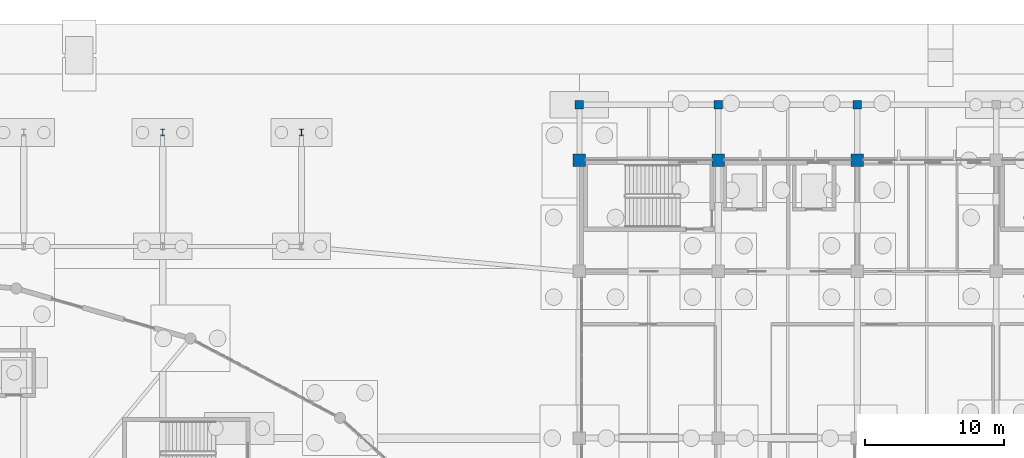
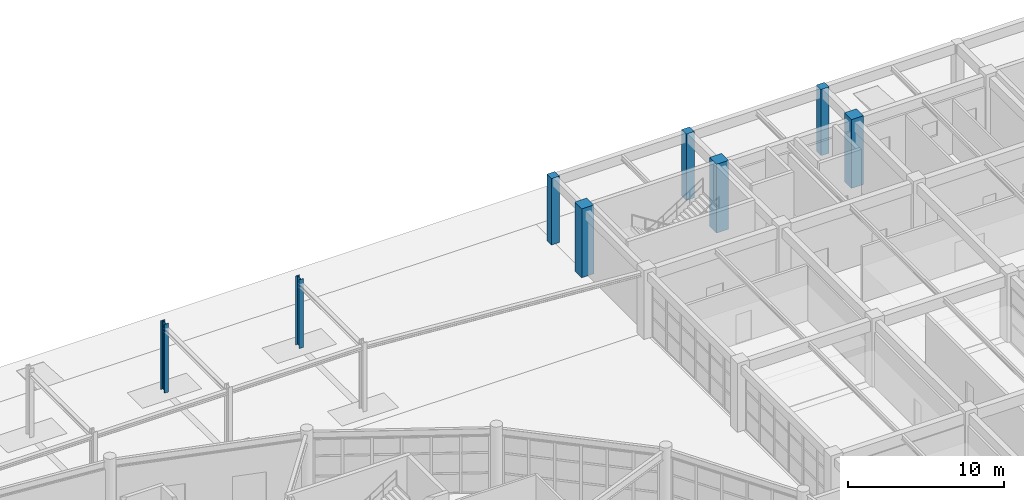
# One storey, part 28 of 99: 8 columns.
"""IFC4 building model written with IfcOpenShell, lengths in metres."""

from ifc_helpers import new_model, si_unit, direction, frame, origin, origin_2d, place, context, subcontext, project, spatial, rectangle, i_section, extrude, material, material_profile, profile_set, type_object, element, save


model = new_model("IFC4")

# Units and contexts
model_context = context("Model", 3, precision=1e-05, world=origin(), true_north=direction((0.0, 1.0)))
body_context = subcontext(model_context, "Body", "Model", "MODEL_VIEW")
ifc_project = project(units=[si_unit("LENGTHUNIT", "METRE"), si_unit("AREAUNIT", "SQUARE_METRE"), si_unit("VOLUMEUNIT", "CUBIC_METRE"), si_unit("PLANEANGLEUNIT", "RADIAN"), si_unit("MASSUNIT", "GRAM", prefix="KILO")], contexts=[model_context])

# Site, building, storey
site_placement = place(None, origin())
site = spatial("IfcSite", under=ifc_project, at=site_placement, CompositionType="ELEMENT")
building_placement = place(site_placement, origin())
building = spatial("IfcBuilding", under=site, at=building_placement, Name="Kivolera Central Railway Station", CompositionType="ELEMENT")
storey_placement = place(building_placement, origin())
storey = spatial("IfcBuildingStorey", under=building, at=storey_placement, Name="L00", CompositionType="ELEMENT", Elevation=0.0)

# Columns
ifc_material_1 = material(Name="Concrete C40/50", Category="concrete")
ifc_material_profile_1 = material_profile(ifc_material_1, rectangle(XDim=0.89990234375, YDim=0.89990234375, at=origin_2d()), Name="RC 900x900")
ifc_profile_set_1 = profile_set([ifc_material_profile_1], Name="Concrete C40/50")
column_type_1 = type_object("IfcColumnType", Name="COL-RC-900", PredefinedType="COLUMN", material=ifc_profile_set_1)
for number, where, z_axis, x_axis, name in (
    (1, (118.0, 134.0, 0.0), (0.0, 0.0, 1.0), (1.0, 0.0, 0.0), "L00 Wing Column 12-M"),
    (2, (128.0, 134.0, 0.0), (0.0, 0.0, 1.0), (1.0, 0.0, 0.0), "L00 Wing Column 13-M"),
    (3, (138.0, 134.0, 0.0), (0.0, 0.0, 1.0), (1.0, 0.0, 0.0), "L00 Wing Column 14-M"),
):
    element("IfcColumn", number, at=place(storey_placement, frame(where, z_axis=z_axis, x_axis=x_axis)), inside=storey, type_object=column_type_1, Name=name, PredefinedType="COLUMN", context=body_context, shape_type="SweptSolid", body=[
        extrude(rectangle(XDim=0.89990234375, YDim=0.89990234375, at=origin_2d()), origin(), (0.0, 0.0, 1.0), 5.39990234375),
    ])
ifc_material_profile_2 = material_profile(ifc_material_1, rectangle(XDim=0.60009765625, YDim=0.60009765625, at=origin_2d()), Name="RC 600x600")
ifc_profile_set_2 = profile_set([ifc_material_profile_2], Name="Concrete C40/50")
column_type_2 = type_object("IfcColumnType", Name="COL-RC-COL600", PredefinedType="COLUMN", material=ifc_profile_set_2)
for number, where, z_axis, x_axis, name in (
    (4, (118.0, 138.0, 0.0), (0.0, 0.0, 1.0), (1.0, 0.0, 0.0), "L00 Wing Column 12-N"),
    (5, (128.0, 138.0, 0.0), (0.0, 0.0, 1.0), (1.0, 0.0, 0.0), "L00 Wing Column 13-N"),
    (6, (138.0, 138.0, 0.0), (0.0, 0.0, 1.0), (1.0, 0.0, 0.0), "L00 Wing Column 14-N"),
):
    element("IfcColumn", number, at=place(storey_placement, frame(where, z_axis=z_axis, x_axis=x_axis)), inside=storey, type_object=column_type_2, Name=name, PredefinedType="COLUMN", context=body_context, shape_type="SweptSolid", body=[
        extrude(rectangle(XDim=0.60009765625, YDim=0.60009765625, at=origin_2d()), origin(), (0.0, 0.0, 1.0), 5.199951171875),
    ])
ifc_material_2 = material(Name="Steel S355", Category="steel")
ifc_material_profile_3 = material_profile(ifc_material_2, i_section(OverallWidth=0.300048828125, OverallDepth=0.5, WebThickness=0.014404296875, FlangeThickness=0.028076171875, FilletRadius=0.027099609375, at=origin_2d()), Name="HEB 500")
ifc_profile_set_3 = profile_set([ifc_material_profile_3], Name="Steel S355")
column_type_3 = type_object("IfcColumnType", Name="COL-STL-HEB500", PredefinedType="COLUMN", material=ifc_profile_set_3)
for number, where, z_axis, x_axis, name in (
    (7, (88.0, 136.0, 0.0), (0.0, 0.0, 1.0), (1.0, 0.0, 0.0), "L00 Forecourt Canopy Pier 7N"),
    (8, (98.0, 136.0, 0.0), (0.0, 0.0, 1.0), (1.0, 0.0, 0.0), "L00 Forecourt Canopy Pier 8N"),
):
    element("IfcColumn", number, at=place(storey_placement, frame(where, z_axis=z_axis, x_axis=x_axis)), inside=storey, type_object=column_type_3, Name=name, PredefinedType="COLUMN", context=body_context, shape_type="SweptSolid", body=[
        extrude(i_section(OverallWidth=0.300048828125, OverallDepth=0.5, WebThickness=0.014404296875, FlangeThickness=0.028076171875, FilletRadius=0.027099609375, at=origin_2d()), origin(), (0.0, 0.0, 1.0), 5.39990234375),
    ])

save(model, "model.ifc")
